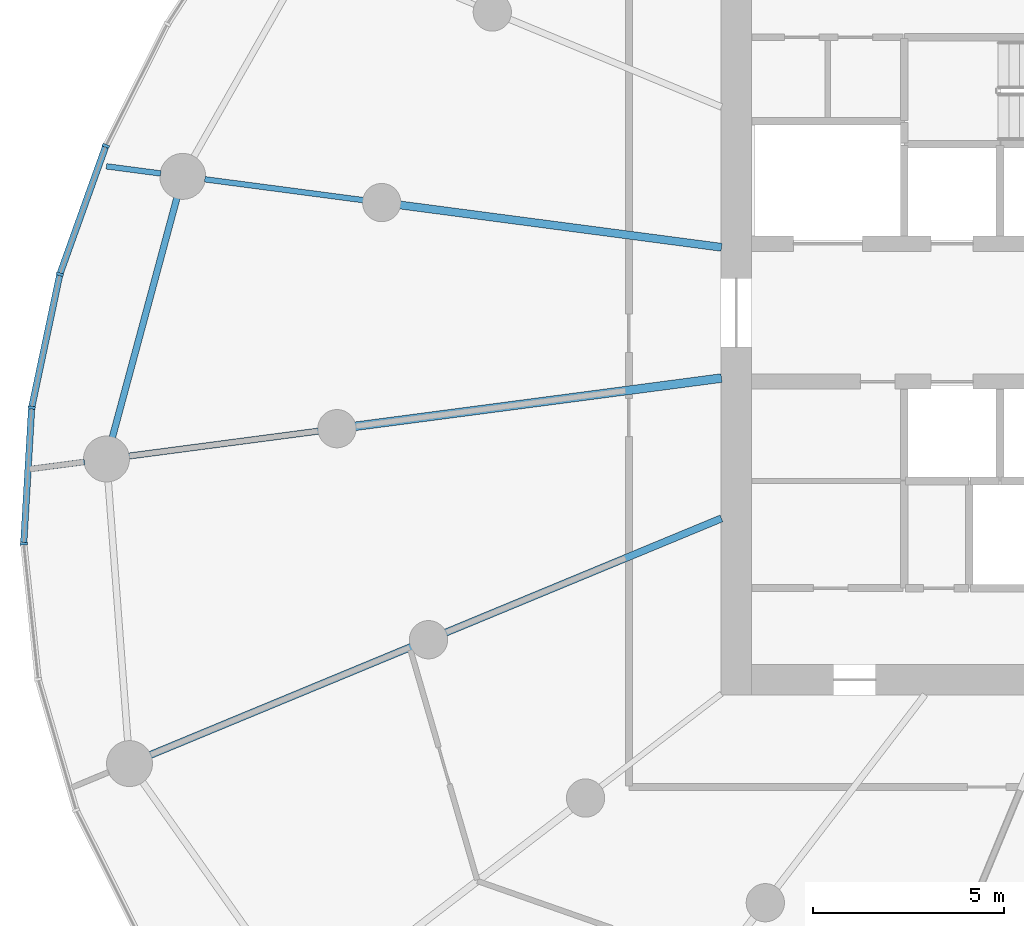
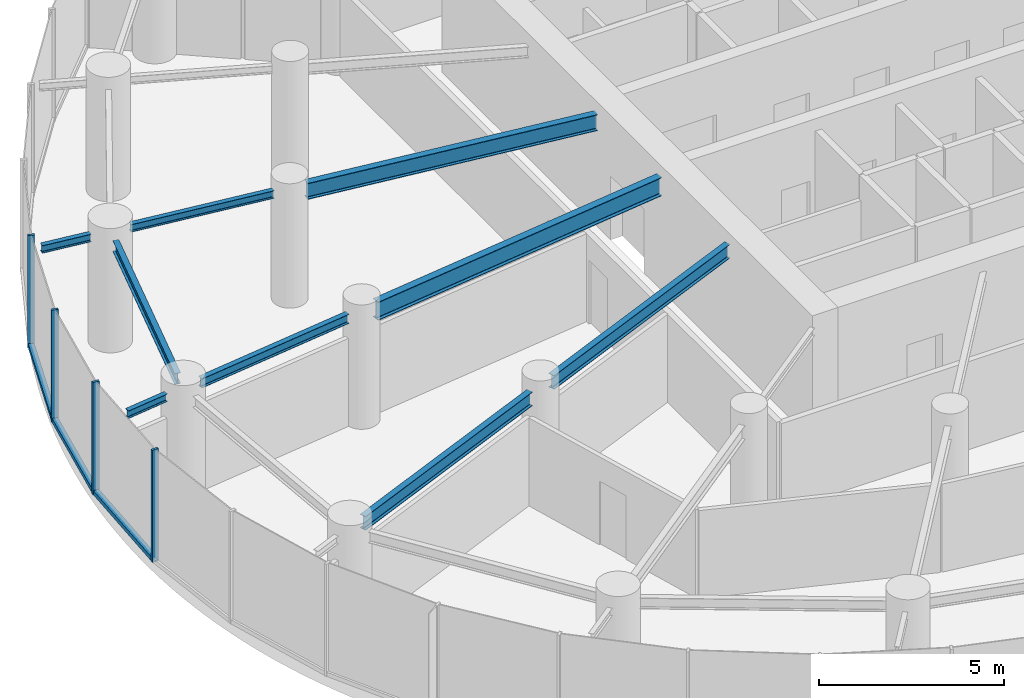
# One storey, part 3 of 17: 9 beams, 7 members, 1 element without a shape of its own.
"""IFC4 building model written with IfcOpenShell, lengths in metres."""

import ifcopenshell
import ifcopenshell.guid

model = None  # the IFC model being written
_history = None  # IfcOwnerHistory: only IFC2X3 demands one
_inside = {}  # id of a spatial element -> (the spatial element, [elements in it])
_under = {}  # id of a project, library or spatial element -> (it, [spatial elements below it])
_declared = {}  # id of a project -> (the project, [libraries it declares])
_typed = {}  # id of a type object -> (the type object, [elements of that type])
_made_of = {}  # id of a material, layer set ... -> (it, [elements and type objects made of it])


def new_model(schema):
    """Start an empty IFC model of exactly this schema.

    Asked for "IFC4X3", IfcOpenShell would pick the latest addendum, in which some entities
    have other attributes; the version numbers below select the first issue.
    IFC2X3 requires an IfcOwnerHistory on every rooted entity: one is made here for all.
    """
    global model, _history
    if schema == "IFC4X3":
        model = ifcopenshell.file(schema_version=(4, 3, 0, 0))
    else:
        model = ifcopenshell.file(schema=schema)
    _inside.clear()
    _under.clear()
    _declared.clear()
    _typed.clear()
    _made_of.clear()
    _history = None
    if model.schema == "IFC2X3":
        org = make("IfcOrganization", Name="unknown")
        user = make(
            "IfcPersonAndOrganization",
            ThePerson=make("IfcPerson", FamilyName="unknown"),
            TheOrganization=org,
        )
        app = make(
            "IfcApplication",
            ApplicationDeveloper=org,
            Version="unknown",
            ApplicationFullName="unknown",
            ApplicationIdentifier="unknown",
        )
        _history = make(
            "IfcOwnerHistory",
            OwningUser=user,
            OwningApplication=app,
            ChangeAction="ADDED",
            CreationDate=0,
        )
    return model


def make(cls, **values):
    """One entity of the class cls with the attributes given. An attribute that is None is left unset."""
    return model.create_entity(
        cls, **{name: value for name, value in values.items() if value is not None}
    )


def rooted(cls, **values):
    """An entity with a GlobalId (a new one), such as an element, a storey or a relation."""
    return make(cls, GlobalId=ifcopenshell.guid.new(), OwnerHistory=_history, **values)


def si_unit(unit_type, name, prefix=None):
    """IfcSIUnit, for example si_unit("LENGTHUNIT", "METRE", prefix="MILLI")."""
    return make("IfcSIUnit", UnitType=unit_type, Prefix=prefix, Name=name)


def assignment(units):
    """IfcUnitAssignment: the units of a project."""
    return None if units is None else make("IfcUnitAssignment", Units=units)


def point(xyz):
    """IfcCartesianPoint."""
    return None if xyz is None else make("IfcCartesianPoint", Coordinates=xyz)


def direction(xyz):
    """IfcDirection."""
    return None if xyz is None else make("IfcDirection", DirectionRatios=xyz)


def frame(location, z_axis=None, x_axis=None):
    """IfcAxis2Placement3D, a coordinate frame: its origin and axes. An axis left out is left unset."""
    return make(
        "IfcAxis2Placement3D",
        Location=point(location),
        Axis=direction(z_axis),
        RefDirection=direction(x_axis),
    )


def frame_2d(location, x_axis=None):
    """IfcAxis2Placement2D, a coordinate frame in the plane: its origin and x axis."""
    return make(
        "IfcAxis2Placement2D", Location=point(location), RefDirection=direction(x_axis)
    )


def origin():
    """The frame at (0, 0, 0) with its axes left unset."""
    return frame((0.0, 0.0, 0.0))


def origin_2d():
    """The frame at (0, 0) in the plane with its x axis left unset."""
    return frame_2d((0.0, 0.0))


def place(relative_to, where):
    """IfcLocalPlacement: puts the frame where relative to a parent placement (None: the world)."""
    return make(
        "IfcLocalPlacement", PlacementRelTo=relative_to, RelativePlacement=where
    )


def context(
    kind, dimensions, precision=None, world=None, true_north=None, identifier=None
):
    """IfcGeometricRepresentationContext, for example the 3D "Model" context."""
    return make(
        "IfcGeometricRepresentationContext",
        ContextIdentifier=identifier,
        ContextType=kind,
        CoordinateSpaceDimension=dimensions,
        Precision=precision,
        WorldCoordinateSystem=world,
        TrueNorth=true_north,
    )


def subcontext(parent, identifier, kind, view, scale=None):
    """IfcGeometricRepresentationSubContext, for example "Body" below "Model"."""
    return make(
        "IfcGeometricRepresentationSubContext",
        ContextIdentifier=identifier,
        ContextType=kind,
        ParentContext=parent,
        TargetScale=scale,
        TargetView=view,
    )


def project(units=None, contexts=None):
    """IfcProject with its units and contexts."""
    return rooted(
        "IfcProject",
        Name="project",
        RepresentationContexts=contexts,
        UnitsInContext=assignment(units),
    )


def spatial(cls, under=None, at=None, **own):
    """A site, building, storey or space (cls), placed at a placement, below another one or the project."""
    s = rooted(cls, ObjectPlacement=at, **own)
    if under is not None:
        _under.setdefault(under.id(), (under, []))[1].append(s)
    return s


def profile(cls, at=None, kind="AREA", **sizes):
    """A parametric profile (cls). Its sizes go by their IFC names, for example OverallWidth=200.0."""
    return make(cls, ProfileType=kind, Position=at, **sizes)


def rectangle(**sizes):
    """IfcRectangleProfileDef."""
    return profile("IfcRectangleProfileDef", **sizes)


def i_section(**sizes):
    """IfcIShapeProfileDef."""
    return profile("IfcIShapeProfileDef", **sizes)


def extrude(swept, where, along, depth):
    """IfcExtrudedAreaSolid: the profile swept, set in the frame where, extruded along a direction by depth."""
    return make(
        "IfcExtrudedAreaSolid",
        SweptArea=swept,
        Position=where,
        ExtrudedDirection=direction(along),
        Depth=depth,
    )


def shape(context_of_items, identifier, shape_type, items):
    """IfcShapeRepresentation: the items that make up one representation, for example the "Body"."""
    return make(
        "IfcShapeRepresentation",
        ContextOfItems=context_of_items,
        RepresentationIdentifier=identifier,
        RepresentationType=shape_type,
        Items=items,
    )


def source(mapping_origin, context_of_items, identifier, shape_type, items):
    """IfcRepresentationMap: a shape defined once, which mapped items show again and again."""
    return make(
        "IfcRepresentationMap",
        MappingOrigin=mapping_origin,
        MappedRepresentation=shape(context_of_items, identifier, shape_type, items),
    )


def transform(
    local_origin,
    x_axis=None,
    y_axis=None,
    z_axis=None,
    scale=None,
    scale2=None,
    scale3=None,
    uniform=True,
):
    """IfcCartesianTransformationOperator3D, or its non-uniform kind. x_axis, y_axis, z_axis: its Axis1, 2, 3."""
    if uniform:
        return make(
            "IfcCartesianTransformationOperator3D",
            Axis1=direction(x_axis),
            Axis2=direction(y_axis),
            LocalOrigin=point(local_origin),
            Scale=scale,
            Axis3=direction(z_axis),
        )
    return make(
        "IfcCartesianTransformationOperator3DnonUniform",
        Axis1=direction(x_axis),
        Axis2=direction(y_axis),
        LocalOrigin=point(local_origin),
        Scale=scale,
        Axis3=direction(z_axis),
        Scale2=scale2,
        Scale3=scale3,
    )


def mapped(mapping_source, mapping_target):
    """IfcMappedItem: shows the shape of a source again, moved by a transform."""
    return make(
        "IfcMappedItem", MappingSource=mapping_source, MappingTarget=mapping_target
    )


def material(Name=None, Category=None):
    """IfcMaterial."""
    return make("IfcMaterial", Name=Name, Category=Category)


def layer(
    of_material, thickness, ventilated=None, Name=None, Category=None, Priority=None
):
    """IfcMaterialLayer: one layer of a wall or slab, of a material (None: an air gap)."""
    return make(
        "IfcMaterialLayer",
        Material=of_material,
        LayerThickness=thickness,
        IsVentilated=ventilated,
        Name=Name,
        Category=Category,
        Priority=Priority,
    )


def layer_set(layers, Name=None):
    """IfcMaterialLayerSet."""
    return make("IfcMaterialLayerSet", MaterialLayers=layers, LayerSetName=Name)


def material_profile(
    of_material, cross_section, Name=None, Category=None, Priority=None
):
    """IfcMaterialProfile: a cross section and its material."""
    return make(
        "IfcMaterialProfile",
        Name=Name,
        Material=of_material,
        Profile=cross_section,
        Priority=Priority,
        Category=Category,
    )


def profile_set(profiles, Name=None, composite=None):
    """IfcMaterialProfileSet."""
    return make(
        "IfcMaterialProfileSet",
        Name=Name,
        MaterialProfiles=profiles,
        CompositeProfile=composite,
    )


def made_of(thing, what):
    """Note that an element or type object is made of a material, layer set ...; save() writes the relation."""
    if what is not None:
        _made_of.setdefault(what.id(), (what, []))[1].append(thing)
    return thing


def type_object(cls, material=None, **own):
    """A type object (cls), such as IfcWallType, which elements share."""
    return made_of(rooted(cls, **own), material)


def element(
    cls,
    number,
    at=None,
    inside=None,
    cuts=None,
    type_object=None,
    material=None,
    context=None,
    identifier="Body",
    shape_type=None,
    held_by="IfcProductDefinitionShape",
    body=None,
    shapes=None,
    **own,
):
    """One element of the class cls, such as IfcWall. Its Tag is "e" and its number.

    at: its placement. inside: the storey or other place that contains it. cuts: it is an
    opening in that element (IfcRelVoidsElement). A single representation is given by context,
    identifier, shape_type and body (its items); several are given by shapes. held_by: the class
    of the entity that holds the representations. save() writes the other relations.
    """
    e = rooted(cls, Tag="e%d" % number, ObjectPlacement=at, **own)
    if body is not None:
        shapes = [shape(context, identifier, shape_type, body)]
    if shapes is not None:
        e.Representation = make(held_by, Representations=shapes)
    if inside is not None:
        _inside.setdefault(inside.id(), (inside, []))[1].append(e)
    if cuts is not None:
        rooted(
            "IfcRelVoidsElement", RelatingBuildingElement=cuts, RelatedOpeningElement=e
        )
    if type_object is not None:
        _typed.setdefault(type_object.id(), (type_object, []))[1].append(e)
    return made_of(e, material)


def aggregate(whole, parts):
    """IfcRelAggregates: a whole, such as a stair, and the parts it consists of."""
    return rooted("IfcRelAggregates", RelatingObject=whole, RelatedObjects=parts)


def save(model, path):
    """Write the relations noted so far, then the file.

    IfcRelAggregates (storeys below a building ...), IfcRelContainedInSpatialStructure (elements
    in a storey), IfcRelDefinesByType, IfcRelAssociatesMaterial and IfcRelDeclares: one each for
    every whole, place, type object, material and project.
    """
    for whole, parts in _under.values():
        aggregate(whole, parts)
    for where, things in _inside.values():
        rooted(
            "IfcRelContainedInSpatialStructure",
            RelatedElements=things,
            RelatingStructure=where,
        )
    for kind, things in _typed.values():
        rooted("IfcRelDefinesByType", RelatedObjects=things, RelatingType=kind)
    for what, things in _made_of.values():
        rooted("IfcRelAssociatesMaterial", RelatedObjects=things, RelatingMaterial=what)
    for by, libraries in _declared.values():
        rooted("IfcRelDeclares", RelatingContext=by, RelatedDefinitions=libraries)
    model.write(path)


model = new_model("IFC4")

# Units and contexts
model_context = context("Model", 3, precision=1e-05, world=origin(), true_north=direction((0.0, 1.0)))
body_context = subcontext(model_context, "Body", "Model", "MODEL_VIEW")
ifc_project = project(units=[si_unit("LENGTHUNIT", "METRE"), si_unit("AREAUNIT", "SQUARE_METRE"), si_unit("VOLUMEUNIT", "CUBIC_METRE"), si_unit("PLANEANGLEUNIT", "RADIAN"), si_unit("MASSUNIT", "GRAM", prefix="KILO")], contexts=[model_context])

# Site, building, storey
site_placement = place(None, origin())
site = spatial("IfcSite", under=ifc_project, at=site_placement, CompositionType="ELEMENT")
building_placement = place(site_placement, origin())
building = spatial("IfcBuilding", under=site, at=building_placement, Name="Spindrift Exchange Tower", CompositionType="ELEMENT")
storey_placement = place(building_placement, frame((0.0, 0.0, 104.39990234375)))
storey = spatial("IfcBuildingStorey", under=building, at=storey_placement, Name="L24", CompositionType="ELEMENT", Elevation=104.39990234375)

# Beams
ifc_material_1 = material(Name="Steel Grade 300", Category="steel")
ifc_material_profile_1 = material_profile(ifc_material_1, i_section(OverallWidth=0.22802734375, OverallDepth=0.60693359375, WebThickness=0.01123046875, FlangeThickness=0.017333984375, FilletRadius=0.013916015625, at=origin_2d()), Name="610UB113")
ifc_profile_set_1 = profile_set([ifc_material_profile_1], Name="Steel Grade 300")
beam_type_1 = type_object("IfcBeamType", Name="Floor Beam 610UB113 Steel Grade 300", PredefinedType="BEAM", material=ifc_profile_set_1)
shared_shape_1 = source(origin(), body_context, "Body", "SweptSolid", [
    extrude(i_section(OverallWidth=0.22802734375, OverallDepth=0.60693359375, WebThickness=0.01123046875, FlangeThickness=0.017333984375, FilletRadius=0.013916015625, at=origin_2d()), origin(), (0.0, 0.0, 1.0), 9.660400390625),
])
beam_1_placement = place(storey_placement, frame((39.019775390625, 46.291015625, 3.396484375), z_axis=(-0.99144767089, -0.130504850054, 0.0), x_axis=(0.130504850054, -0.99144767089, 0.0)))
element("IfcBeam", 1, at=beam_1_placement, inside=storey, type_object=beam_type_1, Name="L24 radial beam R13A", PredefinedType="BEAM", context=body_context, shape_type="MappedRepresentation", body=[
    mapped(shared_shape_1, transform((0.0, 0.0, 0.0), scale=1.0)),
])
ifc_material_profile_2 = material_profile(ifc_material_1, i_section(OverallWidth=0.18994140625, OverallDepth=0.45703125, WebThickness=0.009033203125, FlangeThickness=0.014404296875, FilletRadius=0.013916015625, at=origin_2d()), Name="460UB74.6")
ifc_profile_set_2 = profile_set([ifc_material_profile_2], Name="Steel Grade 300")
beam_type_2 = type_object("IfcBeamType", Name="Floor Beam 460UB74.6 Steel Grade 300", PredefinedType="BEAM", material=ifc_profile_set_2)
shared_shape_2 = source(origin(), body_context, "Body", "SweptSolid", [
    extrude(i_section(OverallWidth=0.18994140625, OverallDepth=0.45703125, WebThickness=0.009033203125, FlangeThickness=0.014404296875, FilletRadius=0.013916015625, at=origin_2d()), origin(), (0.0, 0.0, 1.0), 7.808837890625),
])
beam_2_placement = place(storey_placement, frame((39.0185546875, 42.622802734375, 3.4716796875), z_axis=(-0.92387965154, -0.382683145003, 0.0), x_axis=(0.382683145003, -0.92387965154, 0.0)))
element("IfcBeam", 2, at=beam_2_placement, inside=storey, type_object=beam_type_2, Name="L24 radial beam R14A", PredefinedType="BEAM", context=body_context, shape_type="MappedRepresentation", body=[
    mapped(shared_shape_2, transform((0.0, 0.0, 0.0), scale=1.0)),
])
ifc_material_profile_3 = material_profile(ifc_material_1, i_section(OverallWidth=0.208984375, OverallDepth=0.532958984375, WebThickness=0.01025390625, FlangeThickness=0.015625, FilletRadius=0.013916015625, at=origin_2d()), Name="530UB92.4")
ifc_profile_set_3 = profile_set([ifc_material_profile_3], Name="Steel Grade 300")
beam_type_3 = type_object("IfcBeamType", Name="Floor Beam 530UB92.4 Steel Grade 300", PredefinedType="BEAM", material=ifc_profile_set_3)
shared_shape_3 = source(origin(), body_context, "Body", "SweptSolid", [
    extrude(i_section(OverallWidth=0.208984375, OverallDepth=0.532958984375, WebThickness=0.01025390625, FlangeThickness=0.015625, FilletRadius=0.013916015625, at=origin_2d()), origin(), (0.0, 0.0, 1.0), 8.4794921875),
])
beam_3_placement = place(storey_placement, frame((39.019775390625, 49.708984375, 3.43359375), z_axis=(-0.991446551951, 0.13051335037, 0.0), x_axis=(-0.13051335037, -0.991446551951, 0.0)))
element("IfcBeam", 3, at=beam_3_placement, inside=storey, type_object=beam_type_3, Name="L24 radial beam R12A", PredefinedType="BEAM", context=body_context, shape_type="MappedRepresentation", body=[
    mapped(shared_shape_3, transform((0.0, 0.0, 0.0), scale=1.0)),
])
ifc_material_profile_4 = material_profile(ifc_material_1, i_section(OverallWidth=0.1650390625, OverallDepth=0.303955078125, WebThickness=0.006103515625, FlangeThickness=0.01025390625, FilletRadius=0.011474609375, at=origin_2d()), Name="310UB40.4")
ifc_profile_set_4 = profile_set([ifc_material_profile_4], Name="Steel Grade 300")
beam_type_4 = type_object("IfcBeamType", Name="Floor Beam 310UB40.4 Steel Grade 300", PredefinedType="BEAM", material=ifc_profile_set_4)
shared_shape_4 = source(origin(), body_context, "Body", "SweptSolid", [
    extrude(i_section(OverallWidth=0.1650390625, OverallDepth=0.303955078125, WebThickness=0.006103515625, FlangeThickness=0.01025390625, FilletRadius=0.011474609375, at=origin_2d()), origin(), (0.0, 0.0, 1.0), 5.014404296875),
])
beam_4_placement = place(storey_placement, frame((28.490234375, 44.90478515625, 3.548095703125), z_axis=(-0.99145015202, -0.13048599948, 0.0), x_axis=(0.13048599948, -0.99145015202, 0.0)))
element("IfcBeam", 4, at=beam_4_placement, inside=storey, type_object=beam_type_4, Name="L24 radial beam R13B", PredefinedType="BEAM", context=body_context, shape_type="MappedRepresentation", body=[
    mapped(shared_shape_4, transform((0.0, 0.0, 0.0), scale=1.0)),
])
shared_shape_5 = source(origin(), body_context, "Body", "SweptSolid", [
    extrude(i_section(OverallWidth=0.18994140625, OverallDepth=0.45703125, WebThickness=0.009033203125, FlangeThickness=0.014404296875, FilletRadius=0.013916015625, at=origin_2d()), origin(), (0.0, 0.0, 1.0), 7.400146484375),
])
beam_5_placement = place(storey_placement, frame((30.917236328125, 39.26708984375, 3.4716796875), z_axis=(-0.923886957755, -0.382665505749, 0.0), x_axis=(0.382665505749, -0.923886957755, 0.0)))
element("IfcBeam", 5, at=beam_5_placement, inside=storey, type_object=beam_type_2, Name="L24 radial beam R14B", PredefinedType="BEAM", context=body_context, shape_type="MappedRepresentation", body=[
    mapped(shared_shape_5, transform((0.0, 0.0, 0.0), scale=1.0)),
])
ifc_material_profile_5 = material_profile(ifc_material_1, i_section(OverallWidth=0.14599609375, OverallDepth=0.251953125, WebThickness=0.006103515625, FlangeThickness=0.008544921875, FilletRadius=0.011962890625, at=origin_2d()), Name="250UB31.4")
ifc_profile_set_5 = profile_set([ifc_material_profile_5], Name="Steel Grade 300")
beam_type_5 = type_object("IfcBeamType", Name="Floor Beam 250UB31.4 Steel Grade 300", PredefinedType="BEAM", material=ifc_profile_set_5)
shared_shape_6 = source(origin(), body_context, "Body", "SweptSolid", [
    extrude(i_section(OverallWidth=0.14599609375, OverallDepth=0.251953125, WebThickness=0.006103515625, FlangeThickness=0.008544921875, FilletRadius=0.011962890625, at=origin_2d()), origin(), (0.0, 0.0, 1.0), 4.186279296875),
])
beam_6_placement = place(storey_placement, frame((29.660888671875, 50.94091796875, 3.57421875), z_axis=(-0.991445559167, 0.130520891848, 0.0), x_axis=(-0.130520891848, -0.991445559167, 0.0)))
element("IfcBeam", 6, at=beam_6_placement, inside=storey, type_object=beam_type_5, Name="L24 radial beam R12B", PredefinedType="BEAM", context=body_context, shape_type="MappedRepresentation", body=[
    mapped(shared_shape_6, transform((0.0, 0.0, 0.0), scale=1.0)),
])
ifc_material_profile_6 = material_profile(ifc_material_1, i_section(OverallWidth=0.172119140625, OverallDepth=0.35888671875, WebThickness=0.008056640625, FlangeThickness=0.012939453125, FilletRadius=0.013916015625, at=origin_2d()), Name="360UB56.7")
ifc_profile_set_6 = profile_set([ifc_material_profile_6], Name="Steel Grade 300")
beam_type_6 = type_object("IfcBeamType", Name="Edge Beam 360UB56.7 Steel Grade 300", PredefinedType="SPANDREL", material=ifc_profile_set_6)
shared_shape_7 = source(origin(), body_context, "Body", "SweptSolid", [
    extrude(i_section(OverallWidth=0.172119140625, OverallDepth=0.35888671875, WebThickness=0.008056640625, FlangeThickness=0.012939453125, FilletRadius=0.013916015625, at=origin_2d()), origin(), (0.0, 0.0, 1.0), 6.4921875),
])
beam_7_placement = place(storey_placement, frame((24.784423828125, 51.003173828125, 3.5205078125), z_axis=(-0.260262058381, -0.965538016324, 0.0), x_axis=(0.965538016324, -0.260262058381, 0.0)))
element("IfcBeam", 7, at=beam_7_placement, inside=storey, type_object=beam_type_6, Name="L24 edge beam E12", PredefinedType="SPANDREL", context=body_context, shape_type="MappedRepresentation", body=[
    mapped(shared_shape_7, transform((0.0, 0.0, 0.0), scale=1.0)),
])
ifc_material_profile_7 = material_profile(ifc_material_1, i_section(OverallWidth=0.14599609375, OverallDepth=0.251953125, WebThickness=0.006103515625, FlangeThickness=0.008544921875, FilletRadius=0.011962890625, at=origin_2d()), Name="250UB31.4")
ifc_profile_set_7 = profile_set([ifc_material_profile_7], Name="Steel Grade 300")
beam_type_7 = type_object("IfcBeamType", Name="Cantilever Beam 250UB31.4 Steel Grade 300", PredefinedType="BEAM", material=ifc_profile_set_7)
shared_shape_8 = source(origin(), body_context, "Body", "SweptSolid", [
    extrude(i_section(OverallWidth=0.14599609375, OverallDepth=0.251953125, WebThickness=0.006103515625, FlangeThickness=0.008544921875, FilletRadius=0.011962890625, at=origin_2d()), origin(), (0.0, 0.0, 1.0), 1.330078125),
])
beam_8_placement = place(storey_placement, frame((22.36865234375, 44.09912109375, 3.57421875), z_axis=(-0.991422401773, -0.130696676553, 0.0), x_axis=(0.130696676553, -0.991422401773, 0.0)))
element("IfcBeam", 8, at=beam_8_placement, inside=storey, type_object=beam_type_7, Name="L24 cantilever beam R13T", PredefinedType="BEAM", context=body_context, shape_type="MappedRepresentation", body=[
    mapped(shared_shape_8, transform((0.0, 0.0, 0.0), scale=1.0)),
])
shared_shape_9 = source(origin(), body_context, "Body", "SweptSolid", [
    extrude(i_section(OverallWidth=0.14599609375, OverallDepth=0.251953125, WebThickness=0.006103515625, FlangeThickness=0.008544921875, FilletRadius=0.011962890625, at=origin_2d()), origin(), (0.0, 0.0, 1.0), 1.431884765625),
])
beam_9_placement = place(storey_placement, frame((24.360595703125, 51.638916015625, 3.57421875), z_axis=(-0.99145719693, 0.130432460129, 0.0), x_axis=(-0.130432460129, -0.99145719693, 0.0)))
element("IfcBeam", 9, at=beam_9_placement, inside=storey, type_object=beam_type_7, Name="L24 cantilever beam R12T", PredefinedType="BEAM", context=body_context, shape_type="MappedRepresentation", body=[
    mapped(shared_shape_9, transform((0.0, 0.0, 0.0), scale=1.0)),
])

# Curtain wall, members
ifc_material_2 = material(Name="Fritted laminated glass with bronze frame", Category="glass")
ifc_layer = layer(ifc_material_2, 0.18994140625)
ifc_layer_set = layer_set([ifc_layer], Name="ZONE 2 BRONZE FRITTED WALL")
curtain_wall_type = type_object("IfcCurtainWallType", Name="ZONE 2 BRONZE FRITTED WALL", PredefinedType="NOTDEFINED", material=ifc_layer_set)
curtain_wall_placement = place(storey_placement, origin())
curtain_wall = element("IfcCurtainWall", 10, at=curtain_wall_placement, inside=storey, type_object=curtain_wall_type, Name="L24 Zone 2 Bronze Fritted Wall run 4", PredefinedType="NOTDEFINED")
ifc_material_3 = material(Name="Bronze anodised aluminium", Category="aluminium")
ifc_material_profile_8 = material_profile(ifc_material_3, rectangle(XDim=0.169921875, YDim=0.139892578125, at=origin_2d()), Name="ZONE 2 BRONZE FRITTED WALL TRANSOM 170X140")
ifc_profile_set_8 = profile_set([ifc_material_profile_8], Name="Bronze anodised aluminium")
member_type_1 = type_object("IfcMemberType", Name="ZONE 2 BRONZE FRITTED WALL TRANSOM 170X140", PredefinedType="USERDEFINED", material=ifc_profile_set_8)
shared_shape_10 = source(origin(), body_context, "Body", "SweptSolid", [
    extrude(rectangle(XDim=0.169921875, YDim=0.139892578125, at=origin_2d()), origin(), (0.0, 0.0, 1.0), 3.489013671875),
])
member_1_placement = place(storey_placement, frame((20.9833984375, 45.48046875, 0.070068359375), z_axis=(-0.058356955289, -0.998295780703, 0.0), x_axis=(0.998295780703, -0.058356955289, 0.0)))
member_1 = element("IfcMember", 11, at=member_1_placement, type_object=member_type_1, Name="L24 transom CW-2.23", ObjectType="TRANSOM", PredefinedType="USERDEFINED", context=body_context, shape_type="MappedRepresentation", body=[
    mapped(shared_shape_10, transform((0.0, 0.0, 0.0), scale=1.0)),
])
ifc_material_profile_9 = material_profile(ifc_material_3, rectangle(XDim=0.074951171875, YDim=0.18994140625, at=origin_2d()), Name="ZONE 2 BRONZE FRITTED WALL MULLION 75X190")
ifc_profile_set_9 = profile_set([ifc_material_profile_9], Name="Bronze anodised aluminium")
member_type_2 = type_object("IfcMemberType", Name="ZONE 2 BRONZE FRITTED WALL MULLION 75X190", PredefinedType="MULLION", material=ifc_profile_set_9)
shared_shape_11 = source(origin(), body_context, "Body", "SweptSolid", [
    extrude(rectangle(XDim=0.074951171875, YDim=0.18994140625, at=origin_2d()), origin(), (0.0, 0.0, 1.0), 3.7001953125),
])
member_2_placement = place(storey_placement, frame((22.925537109375, 52.36181640625, 0.0), z_axis=(0.0, 0.0, 1.0), x_axis=(-0.394401131018, -0.918938380879, 0.0)))
member_2 = element("IfcMember", 12, at=member_2_placement, type_object=member_type_2, Name="L24 mullion CW-2.21", PredefinedType="MULLION", context=body_context, shape_type="MappedRepresentation", body=[
    mapped(shared_shape_11, transform((0.0, 0.0, 0.0), scale=1.0)),
])
member_3_placement = place(storey_placement, frame((21.722900390625, 49.00537109375, 0.0), z_axis=(0.0, 0.0, 1.0), x_axis=(-0.272696789395, -0.962100026532, 0.0)))
member_3 = element("IfcMember", 13, at=member_3_placement, type_object=member_type_2, Name="L24 mullion CW-2.22", PredefinedType="MULLION", context=body_context, shape_type="MappedRepresentation", body=[
    mapped(shared_shape_11, transform((0.0, 0.0, 0.0), scale=1.0)),
])
member_4_placement = place(storey_placement, frame((20.985595703125, 45.517822265625, 0.0), z_axis=(0.0, 0.0, 1.0), x_axis=(-0.132998428986, -0.991116248423, 0.0)))
member_4 = element("IfcMember", 14, at=member_4_placement, type_object=member_type_2, Name="L24 mullion CW-2.23", PredefinedType="MULLION", context=body_context, shape_type="MappedRepresentation", body=[
    mapped(shared_shape_11, transform((0.0, 0.0, 0.0), scale=1.0)),
])
member_5_placement = place(storey_placement, frame((20.777587890625, 41.959716796875, 0.0), z_axis=(0.0, 0.0, 1.0), x_axis=(0.023700017407, -0.999719115139, 0.0)))
member_5 = element("IfcMember", 15, at=member_5_placement, type_object=member_type_2, Name="L24 mullion CW-2.24", PredefinedType="MULLION", context=body_context, shape_type="MappedRepresentation", body=[
    mapped(shared_shape_11, transform((0.0, 0.0, 0.0), scale=1.0)),
])
shared_shape_12 = source(origin(), body_context, "Body", "SweptSolid", [
    extrude(rectangle(XDim=0.169921875, YDim=0.139892578125, at=origin_2d()), origin(), (0.0, 0.0, 1.0), 3.490234375),
])
member_6_placement = place(storey_placement, frame((22.912841796875, 52.326416015625, 0.070068359375), z_axis=(-0.337302235938, -0.941396410462, 0.0), x_axis=(0.941396410462, -0.337302235938, 0.0)))
member_6 = element("IfcMember", 16, at=member_6_placement, type_object=member_type_1, Name="L24 transom CW-2.21", ObjectType="TRANSOM", PredefinedType="USERDEFINED", context=body_context, shape_type="MappedRepresentation", body=[
    mapped(shared_shape_12, transform((0.0, 0.0, 0.0), scale=1.0)),
])
shared_shape_13 = source(origin(), body_context, "Body", "SweptSolid", [
    extrude(rectangle(XDim=0.169921875, YDim=0.139892578125, at=origin_2d()), origin(), (0.0, 0.0, 1.0), 3.48974609375),
])
member_7_placement = place(storey_placement, frame((21.71533203125, 48.96875, 0.070068359375), z_axis=(-0.206867161246, -0.978369039575, 0.0), x_axis=(0.978369039575, -0.206867161246, 0.0)))
member_7 = element("IfcMember", 17, at=member_7_placement, type_object=member_type_1, Name="L24 transom CW-2.22", ObjectType="TRANSOM", PredefinedType="USERDEFINED", context=body_context, shape_type="MappedRepresentation", body=[
    mapped(shared_shape_13, transform((0.0, 0.0, 0.0), scale=1.0)),
])
aggregate(curtain_wall, [member_2, member_6, member_3, member_7, member_4, member_1, member_5])

save(model, "model.ifc")
